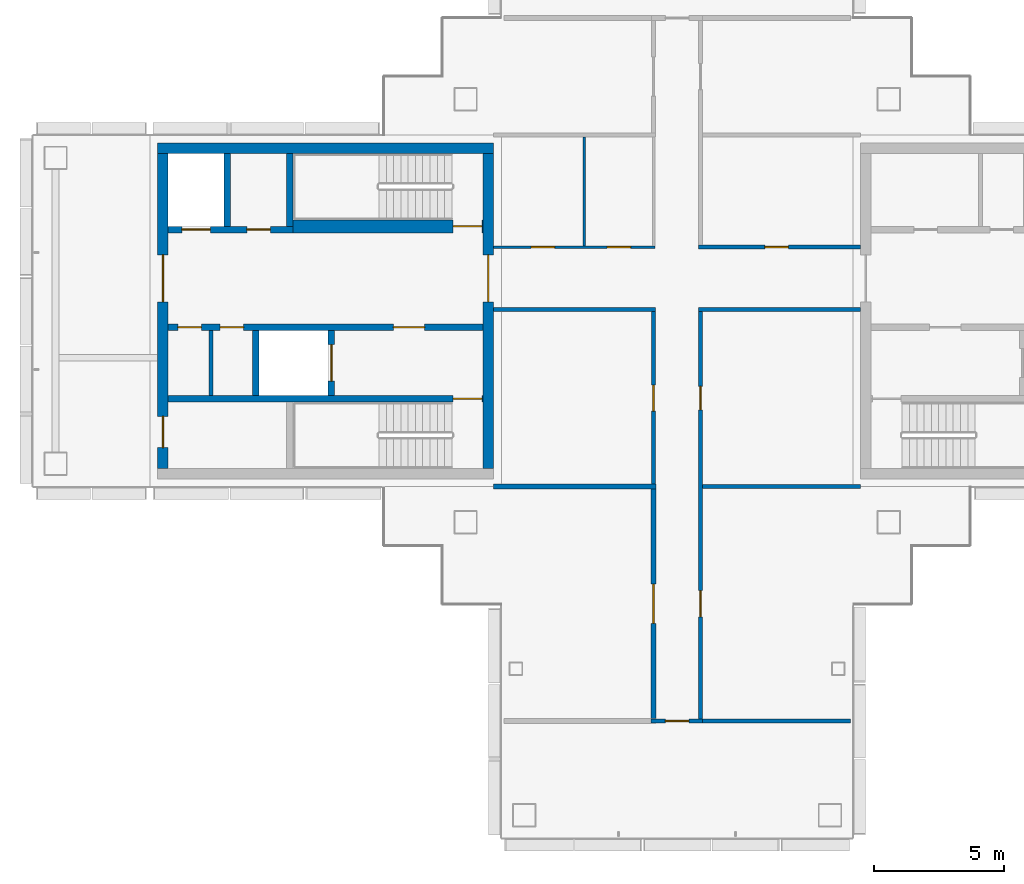
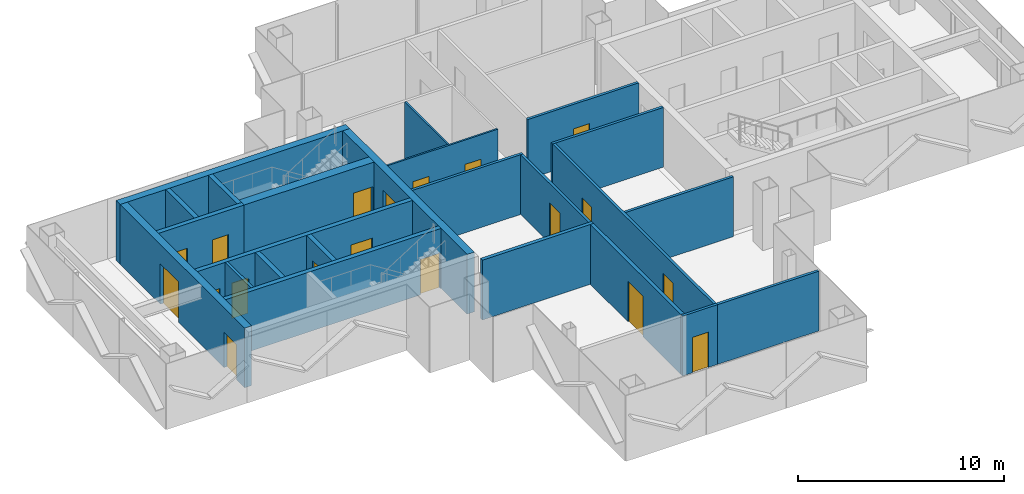
# One storey, part 9 of 17: 24 walls, 19 doors, 19 openings.
"""IFC4 building model written with IfcOpenShell, lengths in metres."""

from ifc_helpers import new_model, si_unit, direction, frame, frame_2d, origin, place, context, subcontext, project, spatial, rectangle, extrude, material, layer, layer_set, type_object, element, fill, save


model = new_model("IFC4")

# Units and contexts
model_context = context("Model", 3, precision=1e-05, world=origin(), true_north=direction((0.0, 1.0)))
body_context = subcontext(model_context, "Body", "Model", "MODEL_VIEW")
ifc_project = project(units=[si_unit("LENGTHUNIT", "METRE"), si_unit("AREAUNIT", "SQUARE_METRE"), si_unit("VOLUMEUNIT", "CUBIC_METRE"), si_unit("PLANEANGLEUNIT", "RADIAN"), si_unit("MASSUNIT", "GRAM", prefix="KILO")], contexts=[model_context])

# Site, building, storey
site_placement = place(None, origin())
site = spatial("IfcSite", under=ifc_project, at=site_placement, CompositionType="ELEMENT")
building_placement = place(site_placement, origin())
building = spatial("IfcBuilding", under=site, at=building_placement, Name="Shamsa Quay Exchange Towers", CompositionType="ELEMENT")
storey_placement = place(building_placement, frame((0.0, 0.0, 230.39990234375)))
storey = spatial("IfcBuildingStorey", under=building, at=storey_placement, Name="L55", CompositionType="ELEMENT", Elevation=230.39990234375)

# Wall, opening, door
ifc_material_1 = material(Name="Double-leaf gypsum board partition with acoustic insulation")
ifc_layer_1 = layer(ifc_material_1, 0.199951171875)
ifc_layer_set_1 = layer_set([ifc_layer_1], Name="Acoustic partition 200 mm EI 60")
wall_type_1 = type_object("IfcWallType", Name="Acoustic partition 200 mm EI 60", PredefinedType="PARTITIONING", material=ifc_layer_set_1)
wall_1_placement = place(storey_placement, frame((-34.650390625, -15.64990234375, 0.0), z_axis=(0.0, 0.0, 1.0), x_axis=(0.0, 1.0, 0.0)))
wall_1 = element("IfcWall", 1, at=wall_1_placement, inside=storey, type_object=wall_type_1, Name="Partition T1-R25-W11", PredefinedType="PARTITIONING", context=body_context, shape_type="SweptSolid", body=[
    extrude(rectangle(XDim=8.7998046875, YDim=0.199951171875, at=frame_2d((4.39990234375, 0.0))), origin(), (0.0, 0.0, 1.0), 3.550048828125),
])
opening_1_placement = place(wall_1_placement, frame((3.64990234375, 0.0, 0.0)))
opening_1 = element("IfcOpeningElement", 2, at=opening_1_placement, cuts=wall_1, Name="Opening T1-R25-D03", PredefinedType="OPENING", context=body_context, shape_type="SweptSolid", body=[
    extrude(rectangle(XDim=1.5, YDim=2.39990234375, at=frame_2d((0.75, 1.199951171875))), frame((0.0, 0.10986328125, 0.0), z_axis=(0.0, -1.0, 0.0), x_axis=(1.0, 0.0, 0.0)), (0.0, 0.0, 1.0), 0.219970703125),
])
ifc_material_2 = material(Name="Timber door leaf in a metal frame", Category="wood")
door_type_1 = type_object("IfcDoorType", Name="Door 1500x2400 FD30S pair", OperationType="NOTDEFINED", PredefinedType="DOOR", material=ifc_material_2)
door_1_placement = place(opening_1_placement, origin())
door_1 = element("IfcDoor", 3, at=door_1_placement, inside=storey, type_object=door_type_1, Name="Door T1-R25-D03", OperationType="DOUBLE_DOOR_SINGLE_SWING", OverallHeight=2.39990234375, OverallWidth=1.5, PredefinedType="DOOR", context=body_context, shape_type="SweptSolid", body=[
    extrude(rectangle(XDim=1.5, YDim=2.39990234375, at=frame_2d((0.75, 1.199951171875))), frame((0.0, 0.02490234375, 0.0), z_axis=(0.0, -1.0, 0.0), x_axis=(1.0, 0.0, 0.0)), (0.0, 0.0, 1.0), 0.050048828125),
])
fill(opening_1, door_1)

# Walls
wall_2_placement = place(storey_placement, frame((-40.800048828125, -6.75, 0.0)))
element("IfcWall", 4, at=wall_2_placement, inside=storey, type_object=wall_type_1, Name="Partition T1-R25-W17", PredefinedType="PARTITIONING", context=body_context, shape_type="SweptSolid", body=[
    extrude(rectangle(XDim=6.249755859375, YDim=0.199951171875, at=frame_2d((3.125, 0.0))), origin(), (0.0, 0.0, 1.0), 3.550048828125),
])
ifc_material_3 = material(Name="Concrete C60/75", Category="concrete")
ifc_layer_2 = layer(ifc_material_3, 0.39990234375)
ifc_layer_set_2 = layer_set([ifc_layer_2], Name="CORE WALL 400 C60/75")
wall_type_2 = type_object("IfcWallType", Name="CORE WALL 400 C60/75", PredefinedType="SHEAR", material=ifc_layer_set_2)
wall_3_placement = place(storey_placement, frame((-40.800048828125, 6.25, 0.0), z_axis=(0.0, 0.0, 1.0), x_axis=(-1.0, 0.0, 0.0)))
element("IfcWall", 5, at=wall_3_placement, inside=storey, type_object=wall_type_2, Name="Core wall T1B-R25-PN", PredefinedType="SHEAR", context=body_context, shape_type="SweptSolid", body=[
    extrude(rectangle(XDim=12.89990234375, YDim=0.39990234375, at=frame_2d((6.449951171875, 0.0))), origin(), (0.0, 0.0, 1.0), 3.550048828125),
])

# Wall, opening, door
wall_4_placement = place(storey_placement, frame((-41.0, -6.050048828125, 0.0), z_axis=(0.0, 0.0, 1.0), x_axis=(0.0, 1.0, 0.0)))
wall_4 = element("IfcWall", 6, at=wall_4_placement, inside=storey, type_object=wall_type_2, Name="Core wall T1B-R25-PF", PredefinedType="SHEAR", context=body_context, shape_type="SweptSolid", body=[
    extrude(rectangle(XDim=12.10009765625, YDim=0.39990234375, at=frame_2d((6.050048828125, 0.0))), origin(), (0.0, 0.0, 1.0), 3.550048828125),
])
opening_2_placement = place(wall_4_placement, frame((6.39990234375, 0.0, 0.0)))
opening_2 = element("IfcOpeningElement", 7, at=opening_2_placement, cuts=wall_4, Name="Opening T1B-R25-LBD01", PredefinedType="OPENING", context=body_context, shape_type="SweptSolid", body=[
    extrude(rectangle(XDim=1.800048828125, YDim=2.39990234375, at=frame_2d((0.89990234375, 1.199951171875))), frame((0.0, 0.2099609375, 0.0), z_axis=(0.0, -1.0, 0.0), x_axis=(1.0, 0.0, 0.0)), (0.0, 0.0, 1.0), 0.419921875),
])
ifc_material_4 = material(Name="Steel, fire rated", Category="steel")
door_type_2 = type_object("IfcDoorType", Name="LIFT LOBBY DOOR PAIR 1800", OperationType="DOUBLE_DOOR_SINGLE_SWING", PredefinedType="DOOR", material=ifc_material_4)
door_2_placement = place(opening_2_placement, origin())
door_2 = element("IfcDoor", 8, at=door_2_placement, inside=storey, type_object=door_type_2, Name="T1B-R25-LBD01", OperationType="DOUBLE_DOOR_SINGLE_SWING", OverallHeight=2.39990234375, OverallWidth=1.800048828125, PredefinedType="DOOR", context=body_context, shape_type="SweptSolid", body=[
    extrude(rectangle(XDim=1.800048828125, YDim=2.39990234375, at=frame_2d((0.89990234375, 1.199951171875))), frame((0.0, 0.02490234375, 0.0), z_axis=(0.0, -1.0, 0.0), x_axis=(1.0, 0.0, 0.0)), (0.0, 0.0, 1.0), 0.050048828125),
])
fill(opening_2, door_2)

# Wall, openings, doors
wall_5_placement = place(storey_placement, frame((-53.5, -6.050048828125, 0.0), z_axis=(0.0, 0.0, 1.0), x_axis=(0.0, 1.0, 0.0)))
wall_5 = element("IfcWall", 9, at=wall_5_placement, inside=storey, type_object=wall_type_2, Name="Core wall T1B-R25-PB", PredefinedType="SHEAR", context=body_context, shape_type="SweptSolid", body=[
    extrude(rectangle(XDim=12.10009765625, YDim=0.39990234375, at=frame_2d((6.050048828125, 0.0))), origin(), (0.0, 0.0, 1.0), 3.550048828125),
])
opening_3_placement = place(wall_5_placement, frame((0.800048828125, 0.0, 0.0)))
opening_3 = element("IfcOpeningElement", 10, at=opening_3_placement, cuts=wall_5, Name="Opening T1B-R25-RD02", PredefinedType="OPENING", context=body_context, shape_type="SweptSolid", body=[
    extrude(rectangle(XDim=1.199951171875, YDim=2.10009765625, at=frame_2d((0.60009765625, 1.050048828125))), frame((0.0, 0.2099609375, 0.0), z_axis=(0.0, -1.0, 0.0), x_axis=(1.0, 0.0, 0.0)), (0.0, 0.0, 1.0), 0.419921875),
])
opening_4_placement = place(wall_5_placement, frame((6.39990234375, 0.0, 0.0)))
opening_4 = element("IfcOpeningElement", 11, at=opening_4_placement, cuts=wall_5, Name="Opening T1B-R25-LBD03", PredefinedType="OPENING", context=body_context, shape_type="SweptSolid", body=[
    extrude(rectangle(XDim=1.800048828125, YDim=2.39990234375, at=frame_2d((0.89990234375, 1.199951171875))), frame((0.0, 0.2099609375, 0.0), z_axis=(0.0, -1.0, 0.0), x_axis=(1.0, 0.0, 0.0)), (0.0, 0.0, 1.0), 0.419921875),
])
door_3_placement = place(opening_4_placement, origin())
door_3 = element("IfcDoor", 12, at=door_3_placement, inside=storey, type_object=door_type_2, Name="T1B-R25-LBD03", OperationType="DOUBLE_DOOR_SINGLE_SWING", OverallHeight=2.39990234375, OverallWidth=1.800048828125, PredefinedType="DOOR", context=body_context, shape_type="SweptSolid", body=[
    extrude(rectangle(XDim=1.800048828125, YDim=2.39990234375, at=frame_2d((0.89990234375, 1.199951171875))), frame((0.0, 0.02490234375, 0.0), z_axis=(0.0, -1.0, 0.0), x_axis=(1.0, 0.0, 0.0)), (0.0, 0.0, 1.0), 0.050048828125),
])
fill(opening_4, door_3)
door_type_3 = type_object("IfcDoorType", Name="RISER ACCESS DOOR 1200", OperationType="SINGLE_SWING_LEFT", PredefinedType="DOOR", material=ifc_material_4)
door_4_placement = place(opening_3_placement, origin())
door_4 = element("IfcDoor", 13, at=door_4_placement, inside=storey, type_object=door_type_3, Name="T1B-R25-RD02", OperationType="SINGLE_SWING_LEFT", OverallHeight=2.10009765625, OverallWidth=1.199951171875, PredefinedType="DOOR", context=body_context, shape_type="SweptSolid", body=[
    extrude(rectangle(XDim=1.199951171875, YDim=2.10009765625, at=frame_2d((0.60009765625, 1.050048828125))), frame((0.0, 0.02490234375, 0.0), z_axis=(0.0, -1.0, 0.0), x_axis=(1.0, 0.0, 0.0)), (0.0, 0.0, 1.0), 0.050048828125),
])
fill(opening_3, door_4)

# Wall
ifc_material_5 = material(Name="Gypsum board on steel studs, EI 60", Category="steel")
ifc_layer_3 = layer(ifc_material_5, 0.14990234375)
ifc_layer_set_3 = layer_set([ifc_layer_3], Name="FIRE PARTITION 150")
wall_type_3 = type_object("IfcWallType", Name="FIRE PARTITION 150", PredefinedType="PARTITIONING", material=ifc_layer_set_3)
wall_6_placement = place(storey_placement, frame((-51.64990234375, -3.25, 0.0), z_axis=(0.0, 0.0, 1.0), x_axis=(0.0, 1.0, 0.0)))
element("IfcWall", 14, at=wall_6_placement, inside=storey, type_object=wall_type_3, Name="Partition T1B-R25-EC0", PredefinedType="PARTITIONING", context=body_context, shape_type="SweptSolid", body=[
    extrude(rectangle(XDim=2.5, YDim=0.14990234375, at=frame_2d((1.25, 0.0))), origin(), (0.0, 0.0, 1.0), 3.550048828125),
])

# Wall, openings, doors
ifc_material_6 = material(Name="Gypsum board partition on metal studs")
ifc_layer_4 = layer(ifc_material_6, 0.10009765625)
ifc_layer_set_4 = layer_set([ifc_layer_4], Name="Partition 100 mm NOT RATED")
wall_type_4 = type_object("IfcWallType", Name="Partition 100 mm NOT RATED", PredefinedType="PARTITIONING", material=ifc_layer_set_4)
wall_7_placement = place(storey_placement, frame((-40.800048828125, 2.4501953125, 0.0)))
wall_7 = element("IfcWall", 15, at=wall_7_placement, inside=storey, type_object=wall_type_4, Name="Partition T1-R25-W06", PredefinedType="PARTITIONING", context=body_context, shape_type="SweptSolid", body=[
    extrude(rectangle(XDim=6.19970703125, YDim=0.10009765625, at=frame_2d((3.099853515625, 0.0))), origin(), (0.0, 0.0, 1.0), 3.550048828125),
])
opening_5_placement = place(wall_7_placement, frame((1.44384765625, 0.0, 0.0)))
opening_5 = element("IfcOpeningElement", 16, at=opening_5_placement, cuts=wall_7, Name="Opening T1-R25-D01", PredefinedType="OPENING", context=body_context, shape_type="SweptSolid", body=[
    extrude(rectangle(XDim=0.89990234375, YDim=2.10009765625, at=frame_2d((0.449951171875, 1.050048828125))), frame((0.0, 0.06005859375, 0.0), z_axis=(0.0, -1.0, 0.0), x_axis=(1.0, 0.0, 0.0)), (0.0, 0.0, 1.0), 0.1201171875),
])
opening_6_placement = place(wall_7_placement, frame((4.368408203125, 0.0, 0.0)))
opening_6 = element("IfcOpeningElement", 17, at=opening_6_placement, cuts=wall_7, Name="Opening T1-R25-D02", PredefinedType="OPENING", context=body_context, shape_type="SweptSolid", body=[
    extrude(rectangle(XDim=0.89990234375, YDim=2.10009765625, at=frame_2d((0.449951171875, 1.050048828125))), frame((0.0, 0.06005859375, 0.0), z_axis=(0.0, -1.0, 0.0), x_axis=(1.0, 0.0, 0.0)), (0.0, 0.0, 1.0), 0.1201171875),
])
door_type_4 = type_object("IfcDoorType", Name="Door 900x2100 NOT RATED", OperationType="NOTDEFINED", PredefinedType="DOOR", material=ifc_material_2)
door_5_placement = place(opening_5_placement, origin())
door_5 = element("IfcDoor", 18, at=door_5_placement, inside=storey, type_object=door_type_4, Name="Door T1-R25-D01", OperationType="SINGLE_SWING_LEFT", OverallHeight=2.10009765625, OverallWidth=0.89990234375, PredefinedType="DOOR", context=body_context, shape_type="SweptSolid", body=[
    extrude(rectangle(XDim=0.89990234375, YDim=2.10009765625, at=frame_2d((0.449951171875, 1.050048828125))), frame((0.0, 0.02490234375, 0.0), z_axis=(0.0, -1.0, 0.0), x_axis=(1.0, 0.0, 0.0)), (0.0, 0.0, 1.0), 0.050048828125),
])
fill(opening_5, door_5)
door_6_placement = place(opening_6_placement, origin())
door_6 = element("IfcDoor", 19, at=door_6_placement, inside=storey, type_object=door_type_4, Name="Door T1-R25-D02", OperationType="SINGLE_SWING_LEFT", OverallHeight=2.10009765625, OverallWidth=0.89990234375, PredefinedType="DOOR", context=body_context, shape_type="SweptSolid", body=[
    extrude(rectangle(XDim=0.89990234375, YDim=2.10009765625, at=frame_2d((0.449951171875, 1.050048828125))), frame((0.0, 0.02490234375, 0.0), z_axis=(0.0, -1.0, 0.0), x_axis=(1.0, 0.0, 0.0)), (0.0, 0.0, 1.0), 0.050048828125),
])
fill(opening_6, door_6)

# Wall
wall_8_placement = place(storey_placement, frame((-37.3125, 2.500244140625, 0.0), z_axis=(0.0, 0.0, 1.0), x_axis=(0.0, 1.0, 0.0)))
element("IfcWall", 20, at=wall_8_placement, inside=storey, type_object=wall_type_4, Name="Partition T1-R25-W16", PredefinedType="PARTITIONING", context=body_context, shape_type="SweptSolid", body=[
    extrude(rectangle(XDim=4.1748046875, YDim=0.10009765625, at=frame_2d((2.08740234375, 0.0))), origin(), (0.0, 0.0, 1.0), 3.550048828125),
])

# Wall, openings, doors
ifc_layer_5 = layer(ifc_material_6, 0.14990234375)
ifc_layer_set_5 = layer_set([ifc_layer_5], Name="Partition 150 mm EI 60")
wall_type_5 = type_object("IfcWallType", Name="Partition 150 mm EI 60", PredefinedType="PARTITIONING", material=ifc_layer_set_5)
wall_9_placement = place(storey_placement, frame((-32.849609375, -0.025146484375, 0.0), z_axis=(0.0, 0.0, 1.0), x_axis=(0.0, -1.0, 0.0)))
wall_9 = element("IfcWall", 21, at=wall_9_placement, inside=storey, type_object=wall_type_5, Name="Partition T1-R25-W02", PredefinedType="PARTITIONING", context=body_context, shape_type="SweptSolid", body=[
    extrude(rectangle(XDim=15.64990234375, YDim=0.14990234375, at=frame_2d((7.824951171875, 0.0))), origin(), (0.0, 0.0, 1.0), 3.550048828125),
])
opening_7_placement = place(wall_9_placement, frame((2.875, 0.0, 0.0)))
opening_7 = element("IfcOpeningElement", 22, at=opening_7_placement, cuts=wall_9, Name="Opening T1-R25-D08", PredefinedType="OPENING", context=body_context, shape_type="SweptSolid", body=[
    extrude(rectangle(XDim=0.89990234375, YDim=2.10009765625, at=frame_2d((0.449951171875, 1.050048828125))), frame((0.0, 0.0849609375, 0.0), z_axis=(0.0, -1.0, 0.0), x_axis=(1.0, 0.0, 0.0)), (0.0, 0.0, 1.0), 0.169921875),
])
opening_8_placement = place(wall_9_placement, frame((10.724853515625, 0.0, 0.0)))
opening_8 = element("IfcOpeningElement", 23, at=opening_8_placement, cuts=wall_9, Name="Opening T1-R25-D09", PredefinedType="OPENING", context=body_context, shape_type="SweptSolid", body=[
    extrude(rectangle(XDim=1.0, YDim=2.39990234375, at=frame_2d((0.5, 1.199951171875))), frame((0.0, 0.0849609375, 0.0), z_axis=(0.0, -1.0, 0.0), x_axis=(1.0, 0.0, 0.0)), (0.0, 0.0, 1.0), 0.169921875),
])
door_type_5 = type_object("IfcDoorType", Name="Door 1000x2400 FD30S", OperationType="NOTDEFINED", PredefinedType="DOOR", material=ifc_material_2)
door_7_placement = place(opening_8_placement, origin())
door_7 = element("IfcDoor", 24, at=door_7_placement, inside=storey, type_object=door_type_5, Name="Door T1-R25-D09", OperationType="SINGLE_SWING_LEFT", OverallHeight=2.39990234375, OverallWidth=1.0, PredefinedType="DOOR", context=body_context, shape_type="SweptSolid", body=[
    extrude(rectangle(XDim=1.0, YDim=2.39990234375, at=frame_2d((0.5, 1.199951171875))), frame((0.0, 0.02490234375, 0.0), z_axis=(0.0, -1.0, 0.0), x_axis=(1.0, 0.0, 0.0)), (0.0, 0.0, 1.0), 0.050048828125),
])
fill(opening_8, door_7)
door_type_6 = type_object("IfcDoorType", Name="Door 900x2100 FD30S", OperationType="NOTDEFINED", PredefinedType="DOOR", material=ifc_material_2)
door_8_placement = place(opening_7_placement, origin())
door_8 = element("IfcDoor", 25, at=door_8_placement, inside=storey, type_object=door_type_6, Name="Door T1-R25-D08", OperationType="SINGLE_SWING_RIGHT", OverallHeight=2.10009765625, OverallWidth=0.89990234375, PredefinedType="DOOR", context=body_context, shape_type="SweptSolid", body=[
    extrude(rectangle(XDim=0.89990234375, YDim=2.10009765625, at=frame_2d((0.449951171875, 1.050048828125))), frame((0.0, 0.02490234375, 0.0), z_axis=(0.0, -1.0, 0.0), x_axis=(1.0, 0.0, 0.0)), (0.0, 0.0, 1.0), 0.050048828125),
])
fill(opening_7, door_8)

# Wall, opening, door
wall_10_placement = place(storey_placement, frame((-32.924560546875, 2.4501953125, 0.0)))
wall_10 = element("IfcWall", 26, at=wall_10_placement, inside=storey, type_object=wall_type_5, Name="Partition T1-R25-W03", PredefinedType="PARTITIONING", context=body_context, shape_type="SweptSolid", body=[
    extrude(rectangle(XDim=6.224609375, YDim=0.14990234375, at=frame_2d((3.1123046875, 0.0))), origin(), (0.0, 0.0, 1.0), 3.550048828125),
])
opening_9_placement = place(wall_10_placement, frame((2.5498046875, 0.0, 0.0)))
opening_9 = element("IfcOpeningElement", 27, at=opening_9_placement, cuts=wall_10, Name="Opening T1-R25-D10", PredefinedType="OPENING", context=body_context, shape_type="SweptSolid", body=[
    extrude(rectangle(XDim=0.89990234375, YDim=2.10009765625, at=frame_2d((0.449951171875, 1.050048828125))), frame((0.0, 0.0849609375, 0.0), z_axis=(0.0, -1.0, 0.0), x_axis=(1.0, 0.0, 0.0)), (0.0, 0.0, 1.0), 0.169921875),
])
door_9_placement = place(opening_9_placement, origin())
door_9 = element("IfcDoor", 28, at=door_9_placement, inside=storey, type_object=door_type_6, Name="Door T1-R25-D10", OperationType="SINGLE_SWING_RIGHT", OverallHeight=2.10009765625, OverallWidth=0.89990234375, PredefinedType="DOOR", context=body_context, shape_type="SweptSolid", body=[
    extrude(rectangle(XDim=0.89990234375, YDim=2.10009765625, at=frame_2d((0.449951171875, 1.050048828125))), frame((0.0, 0.02490234375, 0.0), z_axis=(0.0, -1.0, 0.0), x_axis=(1.0, 0.0, 0.0)), (0.0, 0.0, 1.0), 0.050048828125),
])
fill(opening_9, door_9)

# Walls
for number, where, z_axis, x_axis, name in (
    (29, (-26.699951171875, 0.0498046875, 0.0), (0.0, 0.0, 1.0), (-1.0, 0.0, 0.0), "Partition T1-R25-W04"),
    (30, (-34.575439453125, 0.0498046875, 0.0), (0.0, 0.0, 1.0), (-1.0, 0.0, 0.0), "Partition T1-R25-W05"),
):
    element("IfcWall", number, at=place(storey_placement, frame(where, z_axis=z_axis, x_axis=x_axis)), inside=storey, type_object=wall_type_5, Name=name, PredefinedType="PARTITIONING", context=body_context, shape_type="SweptSolid", body=[
        extrude(rectangle(XDim=6.224609375, YDim=0.14990234375, at=frame_2d((3.1123046875, 0.0))), origin(), (0.0, 0.0, 1.0), 3.550048828125),
    ])

# Wall, opening, door
wall_11_placement = place(storey_placement, frame((-34.650390625, -6.64990234375, 0.0), z_axis=(0.0, 0.0, 1.0), x_axis=(0.0, 1.0, 0.0)))
wall_11 = element("IfcWall", 31, at=wall_11_placement, inside=storey, type_object=wall_type_5, Name="Partition T1-R25-W08", PredefinedType="PARTITIONING", context=body_context, shape_type="SweptSolid", body=[
    extrude(rectangle(XDim=6.624755859375, YDim=0.14990234375, at=frame_2d((3.3125, 0.0))), origin(), (0.0, 0.0, 1.0), 3.550048828125),
])
opening_10_placement = place(wall_11_placement, frame((2.7998046875, 0.0, 0.0)))
opening_10 = element("IfcOpeningElement", 32, at=opening_10_placement, cuts=wall_11, Name="Opening T1-R25-D04", PredefinedType="OPENING", context=body_context, shape_type="SweptSolid", body=[
    extrude(rectangle(XDim=1.0, YDim=2.39990234375, at=frame_2d((0.5, 1.199951171875))), frame((0.0, 0.0849609375, 0.0), z_axis=(0.0, -1.0, 0.0), x_axis=(1.0, 0.0, 0.0)), (0.0, 0.0, 1.0), 0.169921875),
])
door_10_placement = place(opening_10_placement, origin())
door_10 = element("IfcDoor", 33, at=door_10_placement, inside=storey, type_object=door_type_5, Name="Door T1-R25-D04", OperationType="SINGLE_SWING_LEFT", OverallHeight=2.39990234375, OverallWidth=1.0, PredefinedType="DOOR", context=body_context, shape_type="SweptSolid", body=[
    extrude(rectangle(XDim=1.0, YDim=2.39990234375, at=frame_2d((0.5, 1.199951171875))), frame((0.0, 0.02490234375, 0.0), z_axis=(0.0, -1.0, 0.0), x_axis=(1.0, 0.0, 0.0)), (0.0, 0.0, 1.0), 0.050048828125),
])
fill(opening_10, door_10)

wall_12_placement = place(storey_placement, frame((-32.774658203125, -15.75, 0.0), z_axis=(0.0, 0.0, 1.0), x_axis=(-1.0, 0.0, 0.0)))
wall_12 = element("IfcWall", 34, at=wall_12_placement, inside=storey, type_object=wall_type_5, Name="Partition T1-R25-W12", PredefinedType="PARTITIONING", context=body_context, shape_type="SweptSolid", body=[
    extrude(rectangle(XDim=1.975830078125, YDim=0.14990234375, at=frame_2d((0.98779296875, 0.0))), origin(), (0.0, 0.0, 1.0), 3.550048828125),
])
opening_11_placement = place(wall_12_placement, frame((0.525390625, 0.0, 0.0)))
opening_11 = element("IfcOpeningElement", 35, at=opening_11_placement, cuts=wall_12, Name="Opening T1-R25-D07", PredefinedType="OPENING", context=body_context, shape_type="SweptSolid", body=[
    extrude(rectangle(XDim=0.89990234375, YDim=2.10009765625, at=frame_2d((0.449951171875, 1.050048828125))), frame((0.0, 0.0849609375, 0.0), z_axis=(0.0, -1.0, 0.0), x_axis=(1.0, 0.0, 0.0)), (0.0, 0.0, 1.0), 0.169921875),
])
door_11_placement = place(opening_11_placement, origin())
door_11 = element("IfcDoor", 36, at=door_11_placement, inside=storey, type_object=door_type_6, Name="Door T1-R25-D07", OperationType="SINGLE_SWING_LEFT", OverallHeight=2.10009765625, OverallWidth=0.89990234375, PredefinedType="DOOR", context=body_context, shape_type="SweptSolid", body=[
    extrude(rectangle(XDim=0.89990234375, YDim=2.10009765625, at=frame_2d((0.449951171875, 1.050048828125))), frame((0.0, 0.02490234375, 0.0), z_axis=(0.0, -1.0, 0.0), x_axis=(1.0, 0.0, 0.0)), (0.0, 0.0, 1.0), 0.050048828125),
])
fill(opening_11, door_11)

# Walls
wall_13_placement = place(storey_placement, frame((-32.774658203125, -6.75, 0.0)))
element("IfcWall", 37, at=wall_13_placement, inside=storey, type_object=wall_type_5, Name="Partition T1-R25-W15", PredefinedType="PARTITIONING", context=body_context, shape_type="SweptSolid", body=[
    extrude(rectangle(XDim=6.07470703125, YDim=0.14990234375, at=frame_2d((3.037353515625, 0.0))), origin(), (0.0, 0.0, 1.0), 3.550048828125),
])
wall_14_placement = place(storey_placement, frame((-32.924560546875, -15.75, 0.0)))
element("IfcWall", 38, at=wall_14_placement, inside=storey, type_object=wall_type_5, Name="Partition T1-R25-W20", PredefinedType="PARTITIONING", context=body_context, shape_type="SweptSolid", body=[
    extrude(rectangle(XDim=5.82958984375, YDim=0.14990234375, at=frame_2d((2.914794921875, 0.0))), origin(), (0.0, 0.0, 1.0), 3.550048828125),
])

# Wall, opening, door
ifc_material_7 = material(Name="Concrete C50/60", Category="concrete")
ifc_layer_6 = layer(ifc_material_7, 0.25)
ifc_layer_set_6 = layer_set([ifc_layer_6], Name="SHAFT WALL 250 C50/60")
wall_type_6 = type_object("IfcWallType", Name="SHAFT WALL 250 C50/60", PredefinedType="SHEAR", material=ifc_layer_set_6)
wall_15_placement = place(storey_placement, frame((-41.199951171875, -3.375, 0.0), z_axis=(0.0, 0.0, 1.0), x_axis=(-1.0, 0.0, 0.0)))
wall_15 = element("IfcWall", 39, at=wall_15_placement, inside=storey, type_object=wall_type_6, Name="Shaft wall T1B-R25-STL", PredefinedType="SHEAR", context=body_context, shape_type="SweptSolid", body=[
    extrude(rectangle(XDim=12.10009765625, YDim=0.25, at=frame_2d((6.050048828125, 0.0))), origin(), (0.0, 0.0, 1.0), 3.550048828125),
])
opening_12_placement = place(wall_15_placement, frame((0.050048828125, 0.0, 0.0)))
opening_12 = element("IfcOpeningElement", 40, at=opening_12_placement, cuts=wall_15, Name="Opening T1B-R25-SD04", PredefinedType="OPENING", context=body_context, shape_type="SweptSolid", body=[
    extrude(rectangle(XDim=1.10009765625, YDim=2.10009765625, at=frame_2d((0.550048828125, 1.050048828125))), frame((0.0, 0.135009765625, 0.0), z_axis=(0.0, -1.0, 0.0), x_axis=(1.0, 0.0, 0.0)), (0.0, 0.0, 1.0), 0.27001953125),
])
door_type_7 = type_object("IfcDoorType", Name="STAIR DOOR 1100", OperationType="SINGLE_SWING_LEFT", PredefinedType="DOOR", material=ifc_material_4)
door_12_placement = place(opening_12_placement, origin())
door_12 = element("IfcDoor", 41, at=door_12_placement, inside=storey, type_object=door_type_7, Name="T1B-R25-SD04", OperationType="SINGLE_SWING_LEFT", OverallHeight=2.10009765625, OverallWidth=1.10009765625, PredefinedType="DOOR", context=body_context, shape_type="SweptSolid", body=[
    extrude(rectangle(XDim=1.10009765625, YDim=2.10009765625, at=frame_2d((0.550048828125, 1.050048828125))), frame((0.0, 0.02490234375, 0.0), z_axis=(0.0, -1.0, 0.0), x_axis=(1.0, 0.0, 0.0)), (0.0, 0.0, 1.0), 0.050048828125),
])
fill(opening_12, door_12)

# Wall, openings, doors
wall_16_placement = place(storey_placement, frame((-41.199951171875, -0.625, 0.0), z_axis=(0.0, 0.0, 1.0), x_axis=(-1.0, 0.0, 0.0)))
wall_16 = element("IfcWall", 42, at=wall_16_placement, inside=storey, type_object=wall_type_6, Name="Shaft wall T1B-R25-B", PredefinedType="SHEAR", context=body_context, shape_type="SweptSolid", body=[
    extrude(rectangle(XDim=12.10009765625, YDim=0.25, at=frame_2d((6.050048828125, 0.0))), origin(), (0.0, 0.0, 1.0), 3.550048828125),
])
opening_13_placement = place(wall_16_placement, frame((2.25, 0.0, 0.0)))
opening_13 = element("IfcOpeningElement", 43, at=opening_13_placement, cuts=wall_16, Name="Opening T1B-R25-FD05", PredefinedType="OPENING", context=body_context, shape_type="SweptSolid", body=[
    extrude(rectangle(XDim=1.199951171875, YDim=2.10009765625, at=frame_2d((0.60009765625, 1.050048828125))), frame((0.0, 0.135009765625, 0.0), z_axis=(0.0, -1.0, 0.0), x_axis=(1.0, 0.0, 0.0)), (0.0, 0.0, 1.0), 0.27001953125),
])
opening_14_placement = place(wall_16_placement, frame((9.199951171875, 0.0, 0.0)))
opening_14 = element("IfcOpeningElement", 44, at=opening_14_placement, cuts=wall_16, Name="Opening T1B-R25-SV06", PredefinedType="OPENING", context=body_context, shape_type="SweptSolid", body=[
    extrude(rectangle(XDim=0.89990234375, YDim=2.10009765625, at=frame_2d((0.449951171875, 1.050048828125))), frame((0.0, 0.135009765625, 0.0), z_axis=(0.0, -1.0, 0.0), x_axis=(1.0, 0.0, 0.0)), (0.0, 0.0, 1.0), 0.27001953125),
])
opening_15_placement = place(wall_16_placement, frame((10.824951171875, 0.0, 0.0)))
opening_15 = element("IfcOpeningElement", 45, at=opening_15_placement, cuts=wall_16, Name="Opening T1B-R25-SV07", PredefinedType="OPENING", context=body_context, shape_type="SweptSolid", body=[
    extrude(rectangle(XDim=0.89990234375, YDim=2.10009765625, at=frame_2d((0.449951171875, 1.050048828125))), frame((0.0, 0.135009765625, 0.0), z_axis=(0.0, -1.0, 0.0), x_axis=(1.0, 0.0, 0.0)), (0.0, 0.0, 1.0), 0.27001953125),
])
door_type_8 = type_object("IfcDoorType", Name="FIRE SERVICE LOBBY DOOR 1200", OperationType="SINGLE_SWING_LEFT", PredefinedType="DOOR", material=ifc_material_4)
door_13_placement = place(opening_13_placement, origin())
door_13 = element("IfcDoor", 46, at=door_13_placement, inside=storey, type_object=door_type_8, Name="T1B-R25-FD05", OperationType="SINGLE_SWING_LEFT", OverallHeight=2.10009765625, OverallWidth=1.199951171875, PredefinedType="DOOR", context=body_context, shape_type="SweptSolid", body=[
    extrude(rectangle(XDim=1.199951171875, YDim=2.10009765625, at=frame_2d((0.60009765625, 1.050048828125))), frame((0.0, 0.02490234375, 0.0), z_axis=(0.0, -1.0, 0.0), x_axis=(1.0, 0.0, 0.0)), (0.0, 0.0, 1.0), 0.050048828125),
])
fill(opening_13, door_13)
door_type_9 = type_object("IfcDoorType", Name="SERVICE ROOM DOOR 900", OperationType="SINGLE_SWING_LEFT", PredefinedType="DOOR", material=ifc_material_4)
door_14_placement = place(opening_14_placement, origin())
door_14 = element("IfcDoor", 47, at=door_14_placement, inside=storey, type_object=door_type_9, Name="T1B-R25-SV06", OperationType="SINGLE_SWING_RIGHT", OverallHeight=2.10009765625, OverallWidth=0.89990234375, PredefinedType="DOOR", context=body_context, shape_type="SweptSolid", body=[
    extrude(rectangle(XDim=0.89990234375, YDim=2.10009765625, at=frame_2d((0.449951171875, 1.050048828125))), frame((0.0, 0.02490234375, 0.0), z_axis=(0.0, -1.0, 0.0), x_axis=(1.0, 0.0, 0.0)), (0.0, 0.0, 1.0), 0.050048828125),
])
fill(opening_14, door_14)
door_15_placement = place(opening_15_placement, origin())
door_15 = element("IfcDoor", 48, at=door_15_placement, inside=storey, type_object=door_type_9, Name="T1B-R25-SV07", OperationType="SINGLE_SWING_RIGHT", OverallHeight=2.10009765625, OverallWidth=0.89990234375, PredefinedType="DOOR", context=body_context, shape_type="SweptSolid", body=[
    extrude(rectangle(XDim=0.89990234375, YDim=2.10009765625, at=frame_2d((0.449951171875, 1.050048828125))), frame((0.0, 0.02490234375, 0.0), z_axis=(0.0, -1.0, 0.0), x_axis=(1.0, 0.0, 0.0)), (0.0, 0.0, 1.0), 0.050048828125),
])
fill(opening_15, door_15)

# Wall, opening, door
wall_17_placement = place(storey_placement, frame((-47.02490234375, -3.25, 0.0), z_axis=(0.0, 0.0, 1.0), x_axis=(0.0, 1.0, 0.0)))
wall_17 = element("IfcWall", 49, at=wall_17_placement, inside=storey, type_object=wall_type_6, Name="Shaft wall T1B-R25-FFF", PredefinedType="SHEAR", context=body_context, shape_type="SweptSolid", body=[
    extrude(rectangle(XDim=2.5, YDim=0.25, at=frame_2d((1.25, 0.0))), origin(), (0.0, 0.0, 1.0), 3.550048828125),
])
opening_16_placement = place(wall_17_placement, frame((0.550048828125, 0.0, 0.0)))
opening_16 = element("IfcOpeningElement", 50, at=opening_16_placement, cuts=wall_17, Name="Opening T1B-R25-LDG08", PredefinedType="OPENING", context=body_context, shape_type="SweptSolid", body=[
    extrude(rectangle(XDim=1.39990234375, YDim=2.39990234375, at=frame_2d((0.699951171875, 1.199951171875))), frame((0.0, 0.135009765625, 0.0), z_axis=(0.0, -1.0, 0.0), x_axis=(1.0, 0.0, 0.0)), (0.0, 0.0, 1.0), 0.27001953125),
])
door_type_10 = type_object("IfcDoorType", Name="GOODS LIFT LANDING DOOR 1400", OperationType="SLIDING_TO_LEFT", PredefinedType="DOOR", material=ifc_material_4)
door_16_placement = place(opening_16_placement, origin())
door_16 = element("IfcDoor", 51, at=door_16_placement, inside=storey, type_object=door_type_10, Name="T1B-R25-LDG08", OperationType="SLIDING_TO_LEFT", OverallHeight=2.39990234375, OverallWidth=1.39990234375, PredefinedType="DOOR", context=body_context, shape_type="SweptSolid", body=[
    extrude(rectangle(XDim=1.39990234375, YDim=2.39990234375, at=frame_2d((0.699951171875, 1.199951171875))), frame((0.0, 0.02490234375, 0.0), z_axis=(0.0, -1.0, 0.0), x_axis=(1.0, 0.0, 0.0)), (0.0, 0.0, 1.0), 0.050048828125),
])
fill(opening_16, door_16)

# Wall
wall_18_placement = place(storey_placement, frame((-49.925048828125, -3.25, 0.0), z_axis=(0.0, 0.0, 1.0), x_axis=(0.0, 1.0, 0.0)))
element("IfcWall", 52, at=wall_18_placement, inside=storey, type_object=wall_type_6, Name="Shaft wall T1B-R25-FFB", PredefinedType="SHEAR", context=body_context, shape_type="SweptSolid", body=[
    extrude(rectangle(XDim=2.5, YDim=0.25, at=frame_2d((1.25, 0.0))), origin(), (0.0, 0.0, 1.0), 3.550048828125),
])

# Wall, openings, doors
wall_19_placement = place(storey_placement, frame((-53.300048828125, 3.125, 0.0)))
wall_19 = element("IfcWall", 53, at=wall_19_placement, inside=storey, type_object=wall_type_6, Name="Shaft wall T1B-R25-N2", PredefinedType="SHEAR", context=body_context, shape_type="SweptSolid", body=[
    extrude(rectangle(XDim=4.800048828125, YDim=0.25, at=frame_2d((2.39990234375, 0.0))), origin(), (0.0, 0.0, 1.0), 3.550048828125),
])
opening_17_placement = place(wall_19_placement, frame((0.52490234375, 0.0, 0.0)))
opening_17 = element("IfcOpeningElement", 54, at=opening_17_placement, cuts=wall_19, Name="Opening T1B-R25-LD10", PredefinedType="OPENING", context=body_context, shape_type="SweptSolid", body=[
    extrude(rectangle(XDim=1.10009765625, YDim=2.10009765625, at=frame_2d((0.550048828125, 1.050048828125))), frame((0.0, 0.135009765625, 0.0), z_axis=(0.0, -1.0, 0.0), x_axis=(1.0, 0.0, 0.0)), (0.0, 0.0, 1.0), 0.27001953125),
])
opening_18_placement = place(wall_19_placement, frame((3.02490234375, 0.0, 0.0)))
opening_18 = element("IfcOpeningElement", 55, at=opening_18_placement, cuts=wall_19, Name="Opening T1B-R25-SV11", PredefinedType="OPENING", context=body_context, shape_type="SweptSolid", body=[
    extrude(rectangle(XDim=0.89990234375, YDim=2.10009765625, at=frame_2d((0.449951171875, 1.050048828125))), frame((0.0, 0.135009765625, 0.0), z_axis=(0.0, -1.0, 0.0), x_axis=(1.0, 0.0, 0.0)), (0.0, 0.0, 1.0), 0.27001953125),
])
door_type_11 = type_object("IfcDoorType", Name="LANDING DOOR 1100", OperationType="SLIDING_TO_LEFT", PredefinedType="DOOR", material=ifc_material_4)
door_17_placement = place(opening_17_placement, origin())
door_17 = element("IfcDoor", 56, at=door_17_placement, inside=storey, type_object=door_type_11, Name="T1B-R25-LD10", OperationType="SLIDING_TO_LEFT", OverallHeight=2.10009765625, OverallWidth=1.10009765625, PredefinedType="DOOR", context=body_context, shape_type="SweptSolid", body=[
    extrude(rectangle(XDim=1.10009765625, YDim=2.10009765625, at=frame_2d((0.550048828125, 1.050048828125))), frame((0.0, 0.02490234375, 0.0), z_axis=(0.0, -1.0, 0.0), x_axis=(1.0, 0.0, 0.0)), (0.0, 0.0, 1.0), 0.050048828125),
])
fill(opening_17, door_17)
door_18_placement = place(opening_18_placement, origin())
door_18 = element("IfcDoor", 57, at=door_18_placement, inside=storey, type_object=door_type_9, Name="T1B-R25-SV11", OperationType="SINGLE_SWING_RIGHT", OverallHeight=2.10009765625, OverallWidth=0.89990234375, PredefinedType="DOOR", context=body_context, shape_type="SweptSolid", body=[
    extrude(rectangle(XDim=0.89990234375, YDim=2.10009765625, at=frame_2d((0.449951171875, 1.050048828125))), frame((0.0, 0.02490234375, 0.0), z_axis=(0.0, -1.0, 0.0), x_axis=(1.0, 0.0, 0.0)), (0.0, 0.0, 1.0), 0.050048828125),
])
fill(opening_18, door_18)

# Walls
for number, where, z_axis, x_axis, name in (
    (58, (-48.625, 3.25, 0.0), (0.0, 0.0, 1.0), (0.0, 1.0, 0.0), "Shaft wall T1B-R25-STF2"),
    (59, (-51.02490234375, 3.25, 0.0), (0.0, 0.0, 1.0), (0.0, 1.0, 0.0), "Shaft wall T1B-R25-D0"),
):
    element("IfcWall", number, at=place(storey_placement, frame(where, z_axis=z_axis, x_axis=x_axis)), inside=storey, type_object=wall_type_6, Name=name, PredefinedType="SHEAR", context=body_context, shape_type="SweptSolid", body=[
        extrude(rectangle(XDim=2.800048828125, YDim=0.25, at=frame_2d((1.39990234375, 0.0))), origin(), (0.0, 0.0, 1.0), 3.550048828125),
    ])

# Wall, opening, door
ifc_layer_7 = layer(ifc_material_7, 0.5)
ifc_layer_set_7 = layer_set([ifc_layer_7], Name="SHAFT WALL 500 C50/60")
wall_type_7 = type_object("IfcWallType", Name="SHAFT WALL 500 C50/60", PredefinedType="SHEAR", material=ifc_layer_set_7)
wall_20_placement = place(storey_placement, frame((-48.5, 3.25, 0.0)))
wall_20 = element("IfcWall", 60, at=wall_20_placement, inside=storey, type_object=wall_type_7, Name="Shaft wall T1B-R25-N", PredefinedType="SHEAR", context=body_context, shape_type="SweptSolid", body=[
    extrude(rectangle(XDim=7.300048828125, YDim=0.5, at=frame_2d((3.64990234375, 0.0))), origin(), (0.0, 0.0, 1.0), 3.550048828125),
])
opening_19_placement = place(wall_20_placement, frame((6.14990234375, 0.0, 0.0)))
opening_19 = element("IfcOpeningElement", 61, at=opening_19_placement, cuts=wall_20, Name="Opening T1B-R25-SD09", PredefinedType="OPENING", context=body_context, shape_type="SweptSolid", body=[
    extrude(rectangle(XDim=1.10009765625, YDim=2.10009765625, at=frame_2d((0.550048828125, 1.050048828125))), frame((0.0, 0.260009765625, 0.0), z_axis=(0.0, -1.0, 0.0), x_axis=(1.0, 0.0, 0.0)), (0.0, 0.0, 1.0), 0.52001953125),
])
door_19_placement = place(opening_19_placement, origin())
door_19 = element("IfcDoor", 62, at=door_19_placement, inside=storey, type_object=door_type_7, Name="T1B-R25-SD09", OperationType="SINGLE_SWING_RIGHT", OverallHeight=2.10009765625, OverallWidth=1.10009765625, PredefinedType="DOOR", context=body_context, shape_type="SweptSolid", body=[
    extrude(rectangle(XDim=1.10009765625, YDim=2.10009765625, at=frame_2d((0.550048828125, 1.050048828125))), frame((0.0, 0.02490234375, 0.0), z_axis=(0.0, -1.0, 0.0), x_axis=(1.0, 0.0, 0.0)), (0.0, 0.0, 1.0), 0.050048828125),
])
fill(opening_19, door_19)

save(model, "model.ifc")
